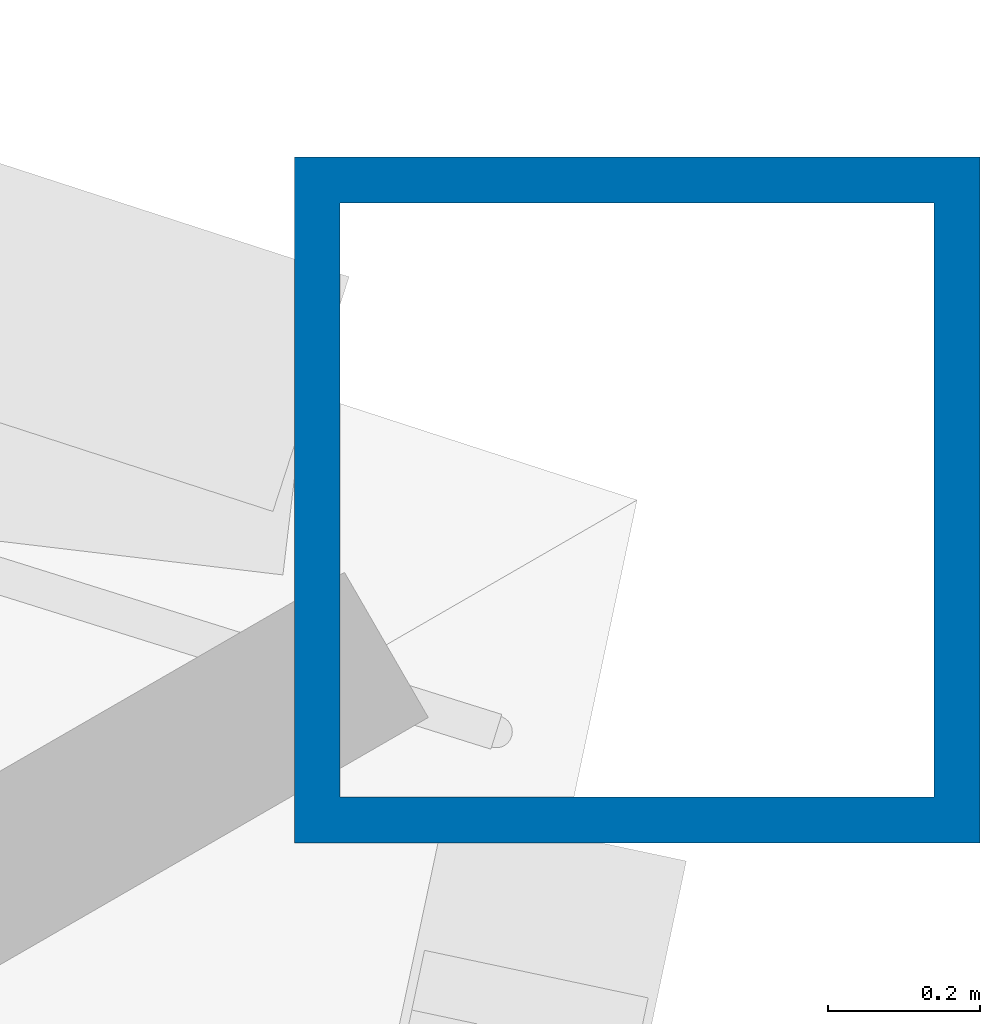
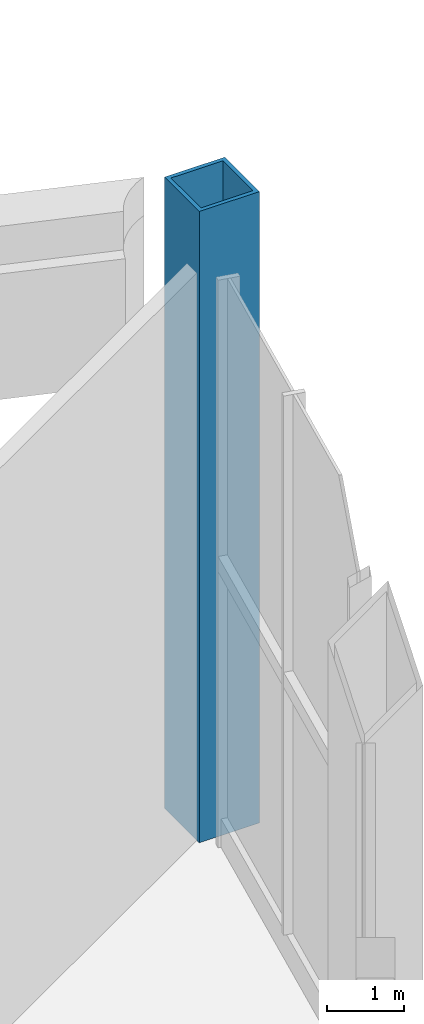
# One storey, part 2 of 18: 1 column.
"""IFC4 building model written with IfcOpenShell, lengths in metres."""

from ifc_helpers import new_model, si_unit, direction, frame, origin, origin_2d, place, context, subcontext, project, spatial, hollow_rectangle, extrude, material, material_profile, profile_set, type_object, element, save


model = new_model("IFC4")

# Units and contexts
model_context = context("Model", 3, precision=1e-05, world=origin(), true_north=direction((0.0, 1.0)))
body_context = subcontext(model_context, "Body", "Model", "MODEL_VIEW")
ifc_project = project(units=[si_unit("LENGTHUNIT", "METRE"), si_unit("AREAUNIT", "SQUARE_METRE"), si_unit("VOLUMEUNIT", "CUBIC_METRE"), si_unit("PLANEANGLEUNIT", "RADIAN"), si_unit("MASSUNIT", "GRAM", prefix="KILO")], contexts=[model_context])

# Site, building, storey
site_placement = place(None, origin())
site = spatial("IfcSite", under=ifc_project, at=site_placement, CompositionType="ELEMENT")
building_placement = place(site_placement, origin())
building = spatial("IfcBuilding", under=site, at=building_placement, Name="Cormorant Prow Tower", CompositionType="ELEMENT")
storey_placement = place(building_placement, frame((0.0, 0.0, 154.199951171875)))
storey = spatial("IfcBuildingStorey", under=building, at=storey_placement, Name="L33", CompositionType="ELEMENT", Elevation=154.199951171875)

# Column
ifc_material = material(Name="Structural steel ASTM A572 Gr 50", Category="steel")
ifc_material_profile = material_profile(ifc_material, hollow_rectangle(XDim=0.89990234375, YDim=0.89990234375, WallThickness=0.06005859375, at=origin_2d()), Name="Box 900x900x60")
ifc_profile_set = profile_set([ifc_material_profile], Name="Structural steel ASTM A572 Gr 50")
column_type = type_object("IfcColumnType", Name="Perimeter box column 900x900x60", PredefinedType="COLUMN", material=ifc_profile_set)
column_placement = place(storey_placement, frame((32.1962890625, -4.967041015625, 0.0), z_axis=(0.0, 0.0, 1.0), x_axis=(1.0, 0.0, 0.0)))
element("IfcColumn", 1, at=column_placement, inside=storey, type_object=column_type, Name="Perimeter column C3 at ENE01 L33", PredefinedType="COLUMN", context=body_context, shape_type="SweptSolid", body=[
    extrude(hollow_rectangle(XDim=0.89990234375, YDim=0.89990234375, WallThickness=0.06005859375, at=origin_2d()), origin(), (0.0, 0.0, 1.0), 10.0),
])

save(model, "model.ifc")
